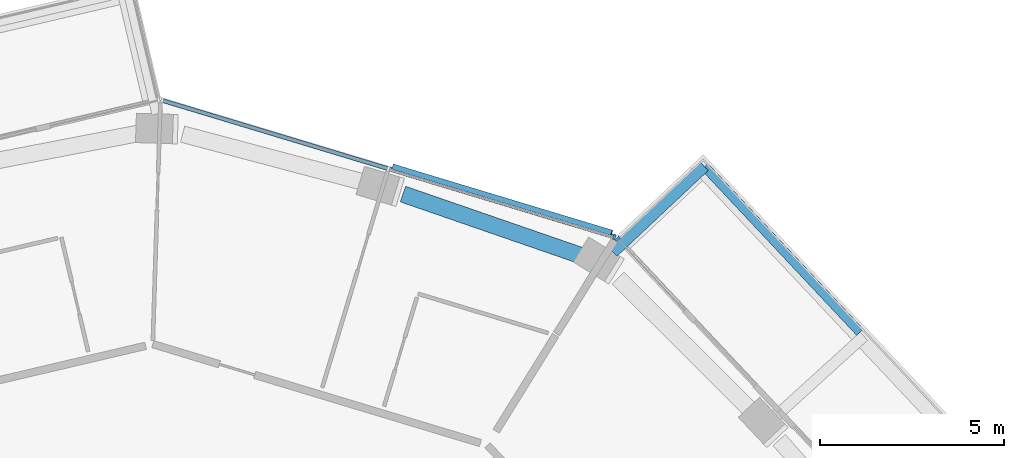
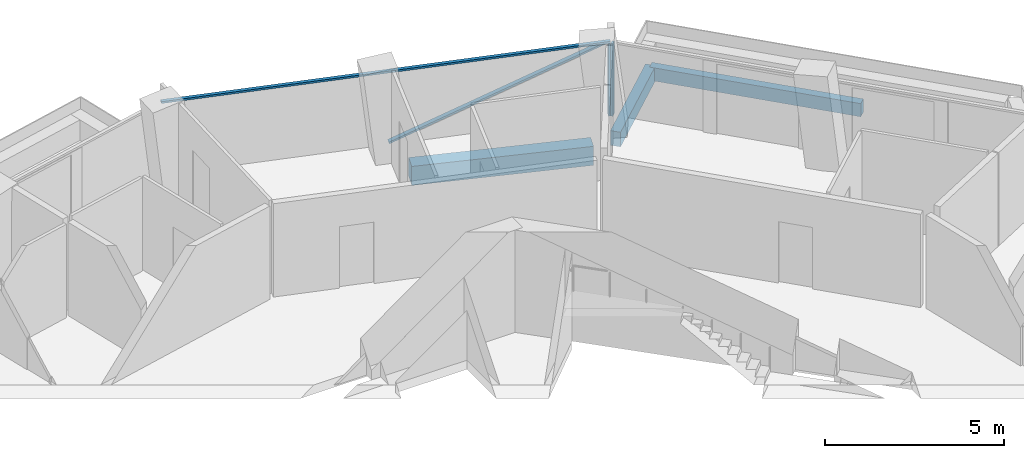
# One storey, part 10 of 24: 4 members, 3 beams, 2 elements without a shape of their own.
"""IFC4 building model written with IfcOpenShell, lengths in metres."""

from ifc_helpers import new_model, si_unit, direction, frame, origin, origin_2d, place, context, subcontext, project, spatial, rectangle, extrude, material, layer, layer_set, material_profile, profile_set, type_object, element, aggregate, save


model = new_model("IFC4")

# Units and contexts
model_context = context("Model", 3, precision=1e-05, world=origin(), true_north=direction((0.0, 1.0)))
body_context = subcontext(model_context, "Body", "Model", "MODEL_VIEW")
ifc_project = project(units=[si_unit("LENGTHUNIT", "METRE"), si_unit("AREAUNIT", "SQUARE_METRE"), si_unit("VOLUMEUNIT", "CUBIC_METRE"), si_unit("PLANEANGLEUNIT", "RADIAN"), si_unit("MASSUNIT", "GRAM", prefix="KILO")], contexts=[model_context])

# Site, building, storey
site_placement = place(None, origin())
site = spatial("IfcSite", under=ifc_project, at=site_placement, CompositionType="ELEMENT")
building_placement = place(site_placement, origin())
building = spatial("IfcBuilding", under=site, at=building_placement, Name="Verdalira Terraces Hotel", CompositionType="ELEMENT")
storey_placement = place(building_placement, frame((0.0, 0.0, 209.0)))
storey = spatial("IfcBuildingStorey", under=building, at=storey_placement, Name="L51", CompositionType="ELEMENT", Elevation=209.0)

# Beams
ifc_material_1 = material(Name="Concrete C40", Category="concrete")
ifc_material_profile_1 = material_profile(ifc_material_1, rectangle(XDim=0.300049, YDim=0.5, at=origin_2d()), Name="RC 300X500")
ifc_profile_set_1 = profile_set([ifc_material_profile_1], Name="Concrete C40")
beam_type_1 = type_object("IfcBeamType", Name="Balcony cantilever beam RC 300X500 C40", PredefinedType="BEAM", material=ifc_profile_set_1)
beam_1_placement = place(storey_placement, frame((13.112305, 20.876953, -0.560059), z_axis=(0.728927134, 0.684591289, 0.0), x_axis=(-0.684591289, 0.728927134, 0.0)))
element("IfcBeam", 1, at=beam_1_placement, inside=storey, type_object=beam_type_1, Name="Balcony cantilever beam R38-2", PredefinedType="BEAM", context=body_context, shape_type="SweptSolid", body=[
    extrude(rectangle(XDim=0.300049, YDim=0.5, at=origin_2d()), origin(), (0.0, 0.0, 1.0), 3.408691),
])
ifc_material_2 = material(Name="Concrete C40", Category="concrete")
ifc_material_profile_2 = material_profile(ifc_material_2, rectangle(XDim=0.25, YDim=0.449951, at=origin_2d()), Name="RC 250X450")
ifc_profile_set_2 = profile_set([ifc_material_profile_2], Name="Concrete C40")
beam_type_2 = type_object("IfcBeamType", Name="Balcony edge beam RC 250X450 C40", PredefinedType="BEAM", material=ifc_profile_set_2)
beam_2_placement = place(storey_placement, frame((19.833008, 18.699463, -0.534912), z_axis=(-0.684545892, 0.728969768, 0.0), x_axis=(-0.728969768, -0.684545892, 0.0)))
element("IfcBeam", 2, at=beam_2_placement, inside=storey, type_object=beam_type_2, Name="Balcony edge beam R38-1", PredefinedType="BEAM", context=body_context, shape_type="SweptSolid", body=[
    extrude(rectangle(XDim=0.25, YDim=0.449951, at=origin_2d()), origin(), (0.0, 0.0, 1.0), 6.188232),
])

# Curtain wall, member
ifc_material_3 = material(Name="Clear glass", Category="glass")
ifc_layer = layer(ifc_material_3, 0.14990234375)
ifc_layer_set = layer_set([ifc_layer], Name="CW1 curtain wall")
curtain_wall_type = type_object("IfcCurtainWallType", Name="CW1 curtain wall", PredefinedType="NOTDEFINED", material=ifc_layer_set)
curtain_wall_1_placement = place(storey_placement, origin())
curtain_wall_1 = element("IfcCurtainWall", 3, at=curtain_wall_1_placement, inside=storey, type_object=curtain_wall_type, Name="CW1 curtain wall L51 edge 39", PredefinedType="NOTDEFINED")
ifc_material_4 = material(Name="Terracotta frame", Category="masonry")
ifc_material_profile_3 = material_profile(ifc_material_4, rectangle(XDim=0.060059, YDim=0.149902, at=origin_2d()), Name="MU 60x150")
ifc_profile_set_3 = profile_set([ifc_material_profile_3], Name="Terracotta frame")
member_type_1 = type_object("IfcMemberType", Name="CW1 mullion 60x150", PredefinedType="MULLION", material=ifc_profile_set_3)
member_1_placement = place(storey_placement, frame((13.227295, 21.241699, 0.0), z_axis=(0.0, 0.0, 1.0), x_axis=(-0.684547106, 0.728968627, 0.0)))
member_1 = element("IfcMember", 4, at=member_1_placement, type_object=member_type_1, Name="CW1 mullion", PredefinedType="MULLION", context=body_context, shape_type="SweptSolid", body=[
    extrude(rectangle(XDim=0.060059, YDim=0.149902, at=origin_2d()), origin(), (0.0, 0.0, 1.0), 2.475098),
])
aggregate(curtain_wall_1, [member_1])

# Curtain wall, members
curtain_wall_2_placement = place(storey_placement, origin())
curtain_wall_2 = element("IfcCurtainWall", 5, at=curtain_wall_2_placement, inside=storey, type_object=curtain_wall_type, Name="CW1 curtain wall L51 edge 40", PredefinedType="NOTDEFINED")
member_2_placement = place(storey_placement, frame((13.14502, 21.292725, 0.0), z_axis=(0.0, 0.0, 1.0), x_axis=(-0.957319498, 0.289031797, 0.0)))
member_2 = element("IfcMember", 6, at=member_2_placement, type_object=member_type_1, Name="CW1 mullion", PredefinedType="MULLION", context=body_context, shape_type="SweptSolid", body=[
    extrude(rectangle(XDim=0.060059, YDim=0.149902, at=origin_2d()), origin(), (0.0, 0.0, 1.0), 2.475098),
])
ifc_material_5 = material(Name="Terracotta frame", Category="masonry")
ifc_material_profile_4 = material_profile(ifc_material_5, rectangle(XDim=0.110107, YDim=0.064941, at=origin_2d()), Name="TR 65x110")
ifc_profile_set_4 = profile_set([ifc_material_profile_4], Name="Terracotta frame")
member_type_2 = type_object("IfcMemberType", Name="CW1 transom 65x110", PredefinedType="USERDEFINED", material=ifc_profile_set_4)
member_3_placement = place(storey_placement, frame((13.173828, 21.28418, 2.507568), z_axis=(-0.957320312, 0.289029099, 0.0), x_axis=(-0.289029099, -0.957320312, 0.0)))
member_3 = element("IfcMember", 7, at=member_3_placement, type_object=member_type_2, Name="CW1 transom", ObjectType="TRANSOM", PredefinedType="USERDEFINED", context=body_context, shape_type="SweptSolid", body=[
    extrude(rectangle(XDim=0.110107, YDim=0.064941, at=origin_2d()), origin(), (0.0, 0.0, 1.0), 12.919678),
])
ifc_material_6 = material(Name="Terracotta frame", Category="masonry")
ifc_material_profile_5 = material_profile(ifc_material_6, rectangle(XDim=0.149902, YDim=0.060059, at=origin_2d()), Name="GB 60x150")
ifc_profile_set_5 = profile_set([ifc_material_profile_5], Name="Terracotta frame")
member_type_3 = type_object("IfcMemberType", Name="Diagonal glazing bar 60x150", PredefinedType="USERDEFINED", material=ifc_profile_set_5)
member_4_placement = place(storey_placement, frame((13.071533, 21.407959, 2.446289), z_axis=(-0.892335775, 0.269405087, -0.362157097), x_axis=(-0.289024947, -0.957321566, 0.0)))
member_4 = element("IfcMember", 8, at=member_4_placement, type_object=member_type_3, Name="Diagonal glazing bar", ObjectType="GLAZING BAR", PredefinedType="USERDEFINED", context=body_context, shape_type="SweptSolid", body=[
    extrude(rectangle(XDim=0.149902, YDim=0.060059, at=origin_2d()), origin(), (0.0, 0.0, 1.0), 6.675293),
])
aggregate(curtain_wall_2, [member_2, member_3, member_4])

# Beam
ifc_material_7 = material(Name="Concrete C50", Category="concrete")
ifc_material_profile_6 = material_profile(ifc_material_7, rectangle(XDim=0.449951, YDim=0.649902, at=origin_2d()), Name="RC 450X650")
ifc_profile_set_6 = profile_set([ifc_material_profile_6], Name="Concrete C50")
beam_type_3 = type_object("IfcBeamType", Name="Spandrel beam RC 450X650 C50", PredefinedType="SPANDREL", material=ifc_profile_set_6)
beam_3_placement = place(storey_placement, frame((12.294922, 20.764404, -0.63501), z_axis=(-0.945112343, 0.326745556, 0.0), x_axis=(-0.326745556, -0.945112343, 0.0)))
element("IfcBeam", 9, at=beam_3_placement, inside=storey, type_object=beam_type_3, Name="Spandrel beam B20", PredefinedType="SPANDREL", context=body_context, shape_type="SweptSolid", body=[
    extrude(rectangle(XDim=0.449951, YDim=0.649902, at=origin_2d()), origin(), (0.0, 0.0, 1.0), 5.192139),
])

save(model, "model.ifc")
